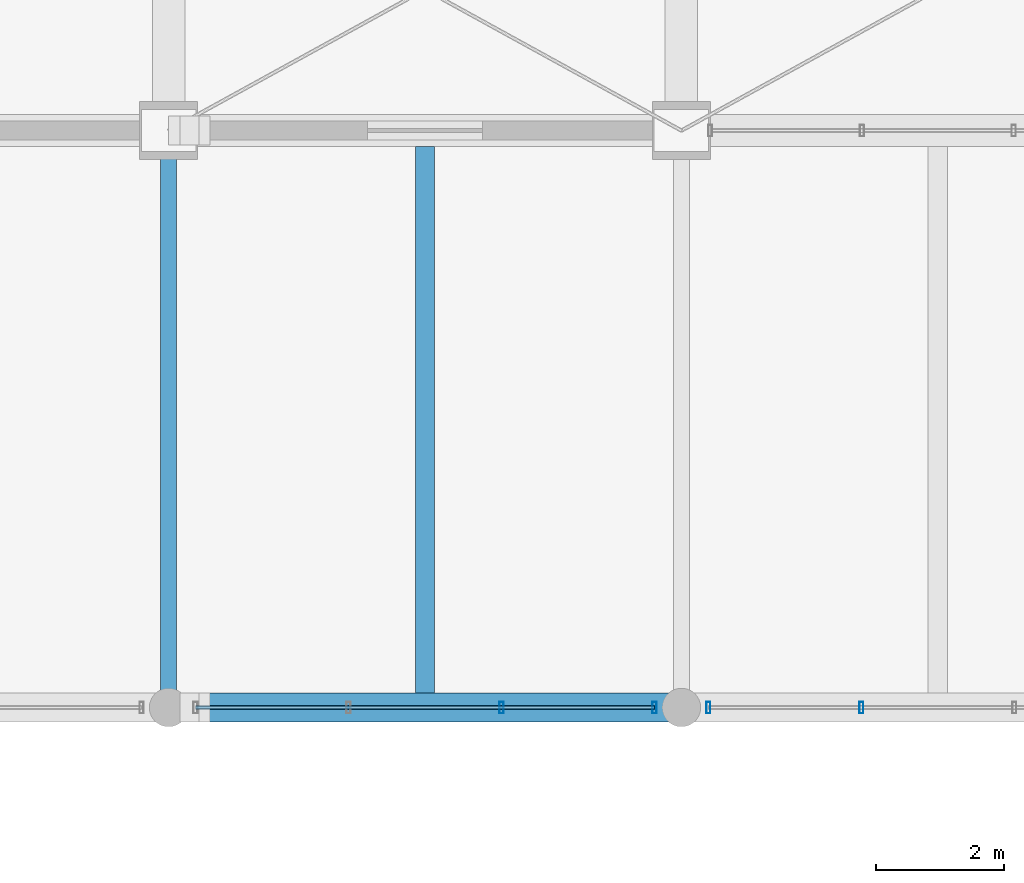
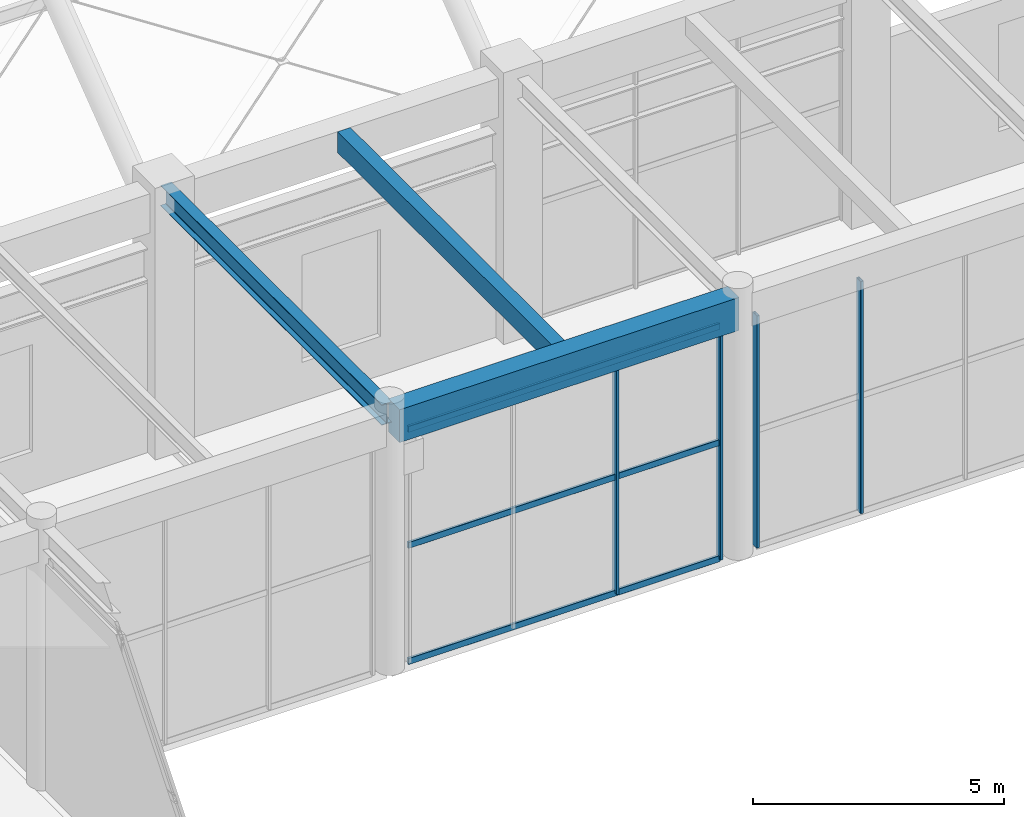
# One storey, part 37 of 163: 7 members, 3 beams, 2 elements without a shape of their own.
"""IFC4 building model written with IfcOpenShell, lengths in metres."""

from ifc_helpers import new_model, si_unit, direction, frame, origin, origin_2d, place, context, subcontext, project, spatial, rectangle, hollow_rectangle, i_section, extrude, material, material_profile, profile_set, type_object, element, aggregate, save


model = new_model("IFC4")

# Units and contexts
model_context = context("Model", 3, precision=1e-05, world=origin(), true_north=direction((0.0, 1.0)))
body_context = subcontext(model_context, "Body", "Model", "MODEL_VIEW")
ifc_project = project(units=[si_unit("LENGTHUNIT", "METRE"), si_unit("AREAUNIT", "SQUARE_METRE"), si_unit("VOLUMEUNIT", "CUBIC_METRE"), si_unit("PLANEANGLEUNIT", "RADIAN"), si_unit("MASSUNIT", "GRAM", prefix="KILO")], contexts=[model_context])

# Site, building, storey
site_placement = place(None, origin())
site = spatial("IfcSite", under=ifc_project, at=site_placement, CompositionType="ELEMENT")
building_placement = place(site_placement, origin())
building = spatial("IfcBuilding", under=site, at=building_placement, Name="Varnabhumi Central Station", CompositionType="ELEMENT")
storey_placement = place(building_placement, frame((0.0, 0.0, 9.60009765625)))
storey = spatial("IfcBuildingStorey", under=building, at=storey_placement, Name="L02", CompositionType="ELEMENT", Elevation=9.60009765625)

# Beams
ifc_material_1 = material(Name="Concrete M40", Category="concrete")
ifc_material_profile_1 = material_profile(ifc_material_1, rectangle(XDim=0.300048828125, YDim=0.5, at=origin_2d()), Name="Concrete M40", Category="concrete")
ifc_profile_set_1 = profile_set([ifc_material_profile_1], Name="Concrete M40")
beam_type_1 = type_object("IfcBeamType", Name="BM-RC-300x500", PredefinedType="JOIST", material=ifc_profile_set_1)
beam_1_placement = place(storey_placement, frame((124.0, 27.22509765625, 6.099853515625), z_axis=(0.0, 1.0, 0.0), x_axis=(-1.0, 0.0, 0.0)))
element("IfcBeam", 1, at=beam_1_placement, inside=storey, type_object=beam_type_1, Name="Secondary Joist L02-16/17:D-E", PredefinedType="JOIST", context=body_context, shape_type="SweptSolid", body=[
    extrude(rectangle(XDim=0.300048828125, YDim=0.5, at=origin_2d()), origin(), (0.0, 0.0, 1.0), 8.52490234375),
])
ifc_material_profile_2 = material_profile(ifc_material_1, rectangle(XDim=0.449951171875, YDim=0.800048828125, at=origin_2d()), Name="Concrete M40", Category="concrete")
ifc_profile_set_2 = profile_set([ifc_material_profile_2], Name="Concrete M40")
beam_type_2 = type_object("IfcBeamType", Name="BM-RC-450x800", PredefinedType="BEAM", material=ifc_profile_set_2)
beam_2_placement = place(storey_placement, frame((120.10009765625, 27.0, 5.949951171875), z_axis=(1.0, 0.0, 0.0), x_axis=(0.0, 1.0, 0.0)))
element("IfcBeam", 2, at=beam_2_placement, inside=storey, type_object=beam_type_2, Name="Beam L02-D:16-17", PredefinedType="BEAM", context=body_context, shape_type="SweptSolid", body=[
    extrude(rectangle(XDim=0.449951171875, YDim=0.800048828125, at=origin_2d()), origin(), (0.0, 0.0, 1.0), 7.7998046875),
])
ifc_material_2 = material(Name="Structural steel E350", Category="steel")
ifc_material_profile_3 = material_profile(ifc_material_2, i_section(OverallWidth=0.25, OverallDepth=0.5, WebThickness=0.010009765625, FlangeThickness=0.0146484375, FilletRadius=0.014892578125, at=origin_2d()), Name="Structural steel E350", Category="steel")
ifc_profile_set_3 = profile_set([ifc_material_profile_3], Name="Structural steel E350")
beam_type_3 = type_object("IfcBeamType", Name="BM-SEC-ISWB500", PredefinedType="BEAM", material=ifc_profile_set_3)
beam_3_placement = place(storey_placement, frame((120.0, 27.10009765625, 6.099853515625), z_axis=(0.0, 1.0, 0.0), x_axis=(-1.0, 0.0, 0.0)))
element("IfcBeam", 3, at=beam_3_placement, inside=storey, type_object=beam_type_3, Name="Beam L02-16:D-E", PredefinedType="BEAM", context=body_context, shape_type="SweptSolid", body=[
    extrude(i_section(OverallWidth=0.25, OverallDepth=0.5, WebThickness=0.010009765625, FlangeThickness=0.0146484375, FilletRadius=0.014892578125, at=origin_2d()), origin(), (0.0, 0.0, 1.0), 8.7998046875),
])

# Curtain wall, members
ifc_material_3 = material(Name="Anodised aluminium 6063-T6", Category="aluminium")
curtain_wall_type = type_object("IfcCurtainWallType", Name="CW-PATIO-LOGGIA-L2", PredefinedType="NOTDEFINED", material=ifc_material_3)
curtain_wall_1_placement = place(storey_placement, origin())
curtain_wall_1 = element("IfcCurtainWall", 4, at=curtain_wall_1_placement, inside=storey, type_object=curtain_wall_type, Name="Curtain Wall CW-SP2N2", PredefinedType="NOTDEFINED")
ifc_material_profile_4 = material_profile(ifc_material_3, hollow_rectangle(XDim=0.06494140625, YDim=0.179931640625, WallThickness=0.00390625, InnerFilletRadius=0.001953125, OuterFilletRadius=0.006103515625, at=origin_2d()), Name="Anodised aluminium 6063-T6", Category="aluminium")
ifc_profile_set_4 = profile_set([ifc_material_profile_4], Name="Anodised aluminium 6063-T6")
member_type_1 = type_object("IfcMemberType", Name="CW-MUL-180", PredefinedType="MULLION", material=ifc_profile_set_4)
member_1_placement = place(storey_placement, frame((125.193359375, 27.0, 0.0), z_axis=(0.0, 0.0, 1.0), x_axis=(1.0, 0.0, 0.0)))
member_1 = element("IfcMember", 5, at=member_1_placement, type_object=member_type_1, Name="Curtain Wall Mullion CW-SP2N2-M3", PredefinedType="MULLION", context=body_context, shape_type="SweptSolid", body=[
    extrude(hollow_rectangle(XDim=0.06494140625, YDim=0.179931640625, WallThickness=0.00390625, InnerFilletRadius=0.001953125, OuterFilletRadius=0.006103515625, at=origin_2d()), origin(), (0.0, 0.0, 1.0), 5.639892578125),
])
member_2_placement = place(storey_placement, frame((127.580078125, 27.0, 0.0), z_axis=(0.0, 0.0, 1.0), x_axis=(1.0, 0.0, 0.0)))
member_2 = element("IfcMember", 6, at=member_2_placement, type_object=member_type_1, Name="Curtain Wall Mullion CW-SP2N2-M4", PredefinedType="MULLION", context=body_context, shape_type="SweptSolid", body=[
    extrude(hollow_rectangle(XDim=0.06494140625, YDim=0.179931640625, WallThickness=0.00390625, InnerFilletRadius=0.001953125, OuterFilletRadius=0.006103515625, at=origin_2d()), origin(), (0.0, 0.0, 1.0), 5.639892578125),
])

curtain_wall_2_placement = place(storey_placement, origin())
curtain_wall_2 = element("IfcCurtainWall", 7, at=curtain_wall_2_placement, inside=storey, type_object=curtain_wall_type, Name="Curtain Wall CW-SP2N3", PredefinedType="NOTDEFINED")
member_3_placement = place(storey_placement, frame((128.419921875, 27.0, 0.0), z_axis=(0.0, 0.0, 1.0), x_axis=(1.0, 0.0, 0.0)))
member_3 = element("IfcMember", 8, at=member_3_placement, type_object=member_type_1, Name="Curtain Wall Mullion CW-SP2N3-M1", PredefinedType="MULLION", context=body_context, shape_type="SweptSolid", body=[
    extrude(hollow_rectangle(XDim=0.06494140625, YDim=0.179931640625, WallThickness=0.00390625, InnerFilletRadius=0.001953125, OuterFilletRadius=0.006103515625, at=origin_2d()), origin(), (0.0, 0.0, 1.0), 5.639892578125),
])
member_4_placement = place(storey_placement, frame((130.806640625, 27.0, 0.0), z_axis=(0.0, 0.0, 1.0), x_axis=(1.0, 0.0, 0.0)))
member_4 = element("IfcMember", 9, at=member_4_placement, type_object=member_type_1, Name="Curtain Wall Mullion CW-SP2N3-M2", PredefinedType="MULLION", context=body_context, shape_type="SweptSolid", body=[
    extrude(hollow_rectangle(XDim=0.06494140625, YDim=0.179931640625, WallThickness=0.00390625, InnerFilletRadius=0.001953125, OuterFilletRadius=0.006103515625, at=origin_2d()), origin(), (0.0, 0.0, 1.0), 5.639892578125),
])
aggregate(curtain_wall_2, [member_3, member_4])

# Member
ifc_material_profile_5 = material_profile(ifc_material_3, hollow_rectangle(XDim=0.06005859375, YDim=0.14990234375, WallThickness=0.00390625, InnerFilletRadius=0.001953125, OuterFilletRadius=0.006103515625, at=origin_2d()), Name="Anodised aluminium 6063-T6", Category="aluminium")
ifc_profile_set_5 = profile_set([ifc_material_profile_5], Name="Anodised aluminium 6063-T6")
member_type_2 = type_object("IfcMemberType", Name="CW-TR-150", PredefinedType="USERDEFINED", material=ifc_profile_set_5)
member_5_placement = place(storey_placement, frame((120.419921875, 27.0, 0.0), z_axis=(1.0, 0.0, 0.0), x_axis=(0.0, 1.0, 0.0)))
member_5 = element("IfcMember", 10, at=member_5_placement, type_object=member_type_2, Name="Curtain Wall Transom CW-SP2N2-T1", ObjectType="TRANSOM", PredefinedType="USERDEFINED", context=body_context, shape_type="SweptSolid", body=[
    extrude(hollow_rectangle(XDim=0.06005859375, YDim=0.14990234375, WallThickness=0.00390625, InnerFilletRadius=0.001953125, OuterFilletRadius=0.006103515625, at=origin_2d()), origin(), (0.0, 0.0, 1.0), 7.16015625),
])

member_6_placement = place(storey_placement, frame((120.419921875, 27.0, 2.81982421875), z_axis=(1.0, 0.0, 0.0), x_axis=(0.0, 1.0, 0.0)))
member_6 = element("IfcMember", 11, at=member_6_placement, type_object=member_type_2, Name="Curtain Wall Transom CW-SP2N2-T2", ObjectType="TRANSOM", PredefinedType="USERDEFINED", context=body_context, shape_type="SweptSolid", body=[
    extrude(hollow_rectangle(XDim=0.06005859375, YDim=0.14990234375, WallThickness=0.00390625, InnerFilletRadius=0.001953125, OuterFilletRadius=0.006103515625, at=origin_2d()), origin(), (0.0, 0.0, 1.0), 7.16015625),
])

member_7_placement = place(storey_placement, frame((120.419921875, 27.0, 5.639892578125), z_axis=(1.0, 0.0, 0.0), x_axis=(0.0, 1.0, 0.0)))
member_7 = element("IfcMember", 12, at=member_7_placement, type_object=member_type_2, Name="Curtain Wall Transom CW-SP2N2-T3", ObjectType="TRANSOM", PredefinedType="USERDEFINED", context=body_context, shape_type="SweptSolid", body=[
    extrude(hollow_rectangle(XDim=0.06005859375, YDim=0.14990234375, WallThickness=0.00390625, InnerFilletRadius=0.001953125, OuterFilletRadius=0.006103515625, at=origin_2d()), origin(), (0.0, 0.0, 1.0), 7.16015625),
])

aggregate(curtain_wall_1, [member_1, member_2, member_5, member_6, member_7])

save(model, "model.ifc")
